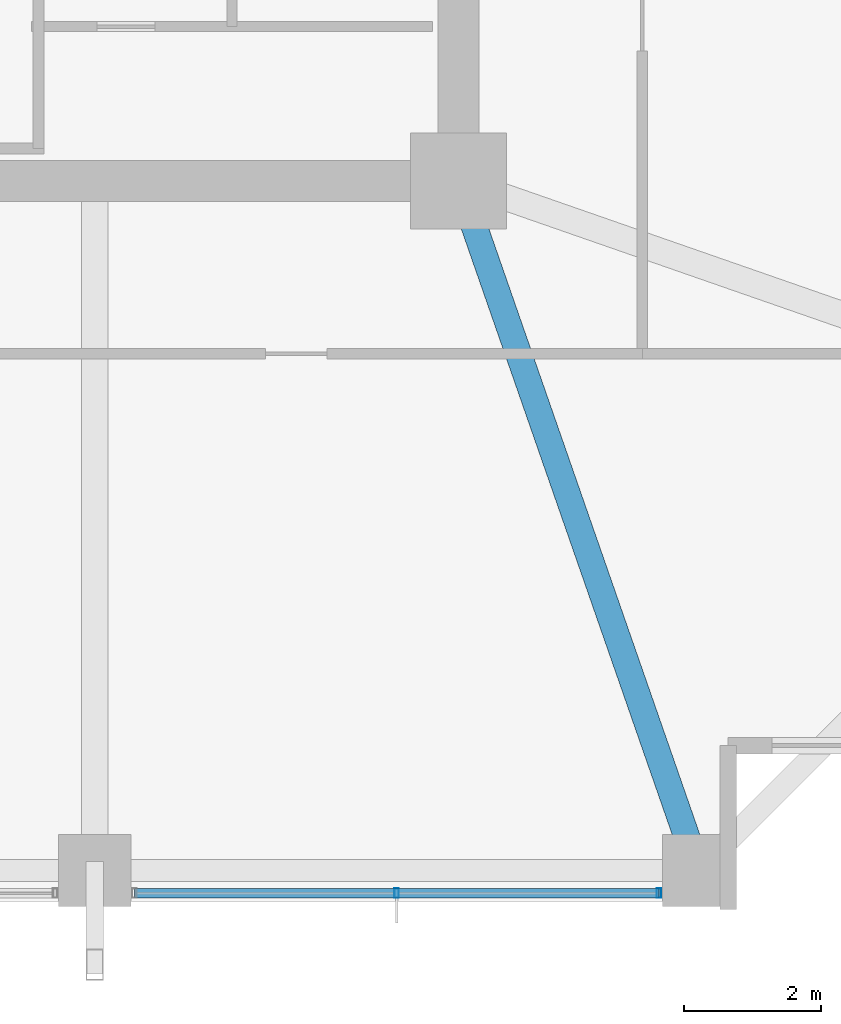
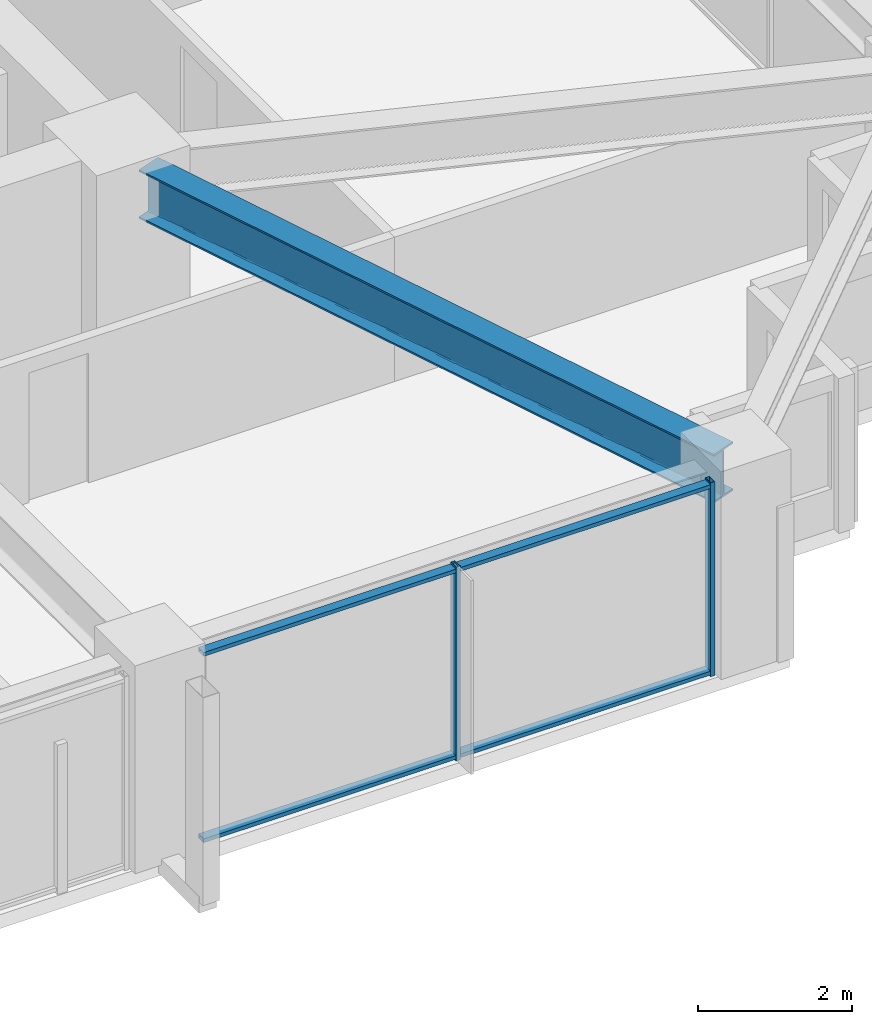
# One storey, part 11 of 37: 4 members, 1 beam, 1 element without a shape of its own.
"""IFC4 building model written with IfcOpenShell, lengths in metres."""

from ifc_helpers import new_model, si_unit, direction, frame, origin, origin_2d, place, context, subcontext, project, spatial, hollow_rectangle, i_section, extrude, material, material_profile, profile_set, type_object, element, aggregate, save


model = new_model("IFC4")

# Units and contexts
model_context = context("Model", 3, precision=1e-05, world=origin(), true_north=direction((0.0, 1.0)))
body_context = subcontext(model_context, "Body", "Model", "MODEL_VIEW")
ifc_project = project(units=[si_unit("LENGTHUNIT", "METRE"), si_unit("AREAUNIT", "SQUARE_METRE"), si_unit("VOLUMEUNIT", "CUBIC_METRE"), si_unit("PLANEANGLEUNIT", "RADIAN"), si_unit("MASSUNIT", "GRAM", prefix="KILO")], contexts=[model_context])

# Site, building, storey
site_placement = place(None, origin())
site = spatial("IfcSite", under=ifc_project, at=site_placement, CompositionType="ELEMENT")
building_placement = place(site_placement, origin())
building = spatial("IfcBuilding", under=site, at=building_placement, Name="Kolvaren Belvedere", CompositionType="ELEMENT")
storey_placement = place(building_placement, frame((0.0, 0.0, 82.10009765625)))
storey = spatial("IfcBuildingStorey", under=building, at=storey_placement, Name="L23", CompositionType="ELEMENT", Elevation=82.10009765625)

# Beam
ifc_material_1 = material(Name="Structural steel ASTM A992 Grade 50", Category="steel")
ifc_material_profile_1 = material_profile(ifc_material_1, i_section(OverallWidth=0.381103515625, OverallDepth=0.77294921875, WebThickness=0.0166015625, FlangeThickness=0.027099609375, FilletRadius=0.02392578125, at=origin_2d()), Name="W30X173")
ifc_profile_set_1 = profile_set([ifc_material_profile_1], Name="Structural steel ASTM A992 Grade 50")
beam_type = type_object("IfcBeamType", Name="BM-GIRD-W30X173", PredefinedType="BEAM", material=ifc_profile_set_1)
beam_placement = place(storey_placement, frame((10.080810546875, -10.41943359375, 2.693359375), z_axis=(0.328880894453, -0.944371408538, 0.0), x_axis=(0.944371408538, 0.328880894453, 0.0)))
element("IfcBeam", 1, at=beam_placement, inside=storey, type_object=beam_type, Name="L23 Corner Core-to-Perimeter Girder CC2-S4", PredefinedType="BEAM", context=body_context, shape_type="SweptSolid", body=[
    extrude(i_section(OverallWidth=0.381103515625, OverallDepth=0.77294921875, WebThickness=0.0166015625, FlangeThickness=0.027099609375, FilletRadius=0.02392578125, at=origin_2d()), origin(), (0.0, 0.0, 1.0), 9.882080078125),
])

# Curtain wall, members
ifc_material_2 = material(Name="Anodised pale-metal aluminium AA 6063-T6", Category="aluminium")
curtain_wall_type = type_object("IfcCurtainWallType", Name="CW-Z2-MID", PredefinedType="NOTDEFINED", material=ifc_material_2)
curtain_wall_placement = place(storey_placement, origin())
curtain_wall = element("IfcCurtainWall", 2, at=curtain_wall_placement, inside=storey, type_object=curtain_wall_type, Name="L23 Unitised Curtain Wall FCW-L23-S-B1", PredefinedType="NOTDEFINED")
ifc_material_3 = material(Name="Anodised pale-metal aluminium AA 6063-T6", Category="aluminium")
ifc_material_profile_2 = material_profile(ifc_material_3, hollow_rectangle(XDim=0.06494140625, YDim=0.139892578125, WallThickness=0.00390625, at=origin_2d()), Name="ALU-MUL-140X65")
ifc_profile_set_2 = profile_set([ifc_material_profile_2], Name="Anodised pale-metal aluminium AA 6063-T6")
member_type_1 = type_object("IfcMemberType", Name="CW-MUL-140", PredefinedType="MULLION", material=ifc_profile_set_2)
member_1_placement = place(storey_placement, frame((12.822509765625, -20.280029296875, 0.0), z_axis=(0.0, 0.0, 1.0), x_axis=(1.0, 0.0, 0.0)))
member_1 = element("IfcMember", 3, at=member_1_placement, type_object=member_type_1, Name="FCW-L23-S-B1 Unitised Mullion 1", PredefinedType="MULLION", context=body_context, shape_type="SweptSolid", body=[
    extrude(hollow_rectangle(XDim=0.06494140625, YDim=0.139892578125, WallThickness=0.00390625, at=origin_2d()), origin(), (0.0, 0.0, 1.0), 3.079833984375),
])
member_2_placement = place(storey_placement, frame((9.0, -20.280029296875, 0.0), z_axis=(0.0, 0.0, 1.0), x_axis=(1.0, 0.0, 0.0)))
member_2 = element("IfcMember", 4, at=member_2_placement, type_object=member_type_1, Name="FCW-L23-S-B1 Unitised Mullion 2", PredefinedType="MULLION", context=body_context, shape_type="SweptSolid", body=[
    extrude(hollow_rectangle(XDim=0.06494140625, YDim=0.139892578125, WallThickness=0.00390625, at=origin_2d()), origin(), (0.0, 0.0, 1.0), 3.079833984375),
])
ifc_material_4 = material(Name="Anodised pale-metal aluminium AA 6063-T6", Category="aluminium")
ifc_material_profile_3 = material_profile(ifc_material_4, hollow_rectangle(XDim=0.06005859375, YDim=0.139892578125, WallThickness=0.00390625, at=origin_2d()), Name="ALU-TRN-140X60")
ifc_profile_set_3 = profile_set([ifc_material_profile_3], Name="Anodised pale-metal aluminium AA 6063-T6")
member_type_2 = type_object("IfcMemberType", Name="CW-TRN-140", PredefinedType="USERDEFINED", material=ifc_profile_set_3)
member_3_placement = place(storey_placement, frame((12.822509765625, -20.280029296875, 0.059814453125), z_axis=(-1.0, 0.0, 0.0), x_axis=(0.0, 0.0, 1.0)))
member_3 = element("IfcMember", 5, at=member_3_placement, type_object=member_type_2, Name="FCW-L23-S-B1 Sill Transom", ObjectType="TRANSOM", PredefinedType="USERDEFINED", context=body_context, shape_type="SweptSolid", body=[
    extrude(hollow_rectangle(XDim=0.06005859375, YDim=0.139892578125, WallThickness=0.00390625, at=origin_2d()), origin(), (0.0, 0.0, 1.0), 7.64501953125),
])
member_4_placement = place(storey_placement, frame((12.822509765625, -20.280029296875, 3.02001953125), z_axis=(-1.0, 0.0, 0.0), x_axis=(0.0, 0.0, 1.0)))
member_4 = element("IfcMember", 6, at=member_4_placement, type_object=member_type_2, Name="FCW-L23-S-B1 Head Transom", ObjectType="TRANSOM", PredefinedType="USERDEFINED", context=body_context, shape_type="SweptSolid", body=[
    extrude(hollow_rectangle(XDim=0.06005859375, YDim=0.139892578125, WallThickness=0.00390625, at=origin_2d()), origin(), (0.0, 0.0, 1.0), 7.64501953125),
])
aggregate(curtain_wall, [member_1, member_2, member_3, member_4])

save(model, "model.ifc")
